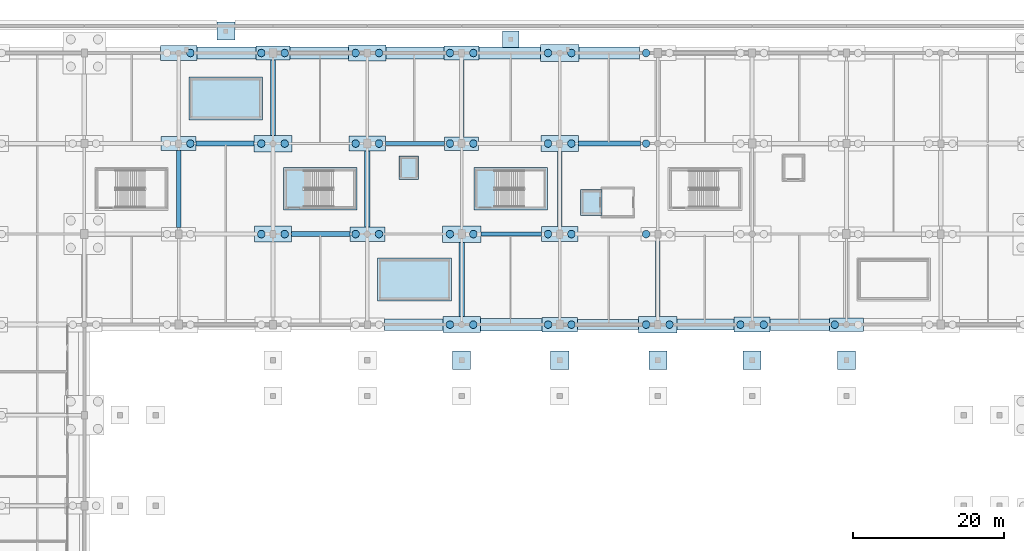
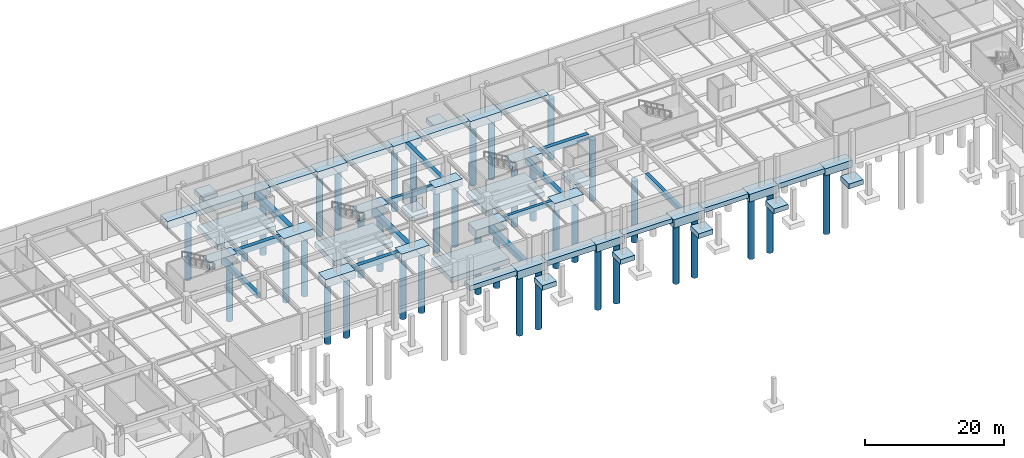
# One storey, part 9 of 56: 54 footings, 38 piles.
"""IFC4 building model written with IfcOpenShell, lengths in metres."""

import ifcopenshell
import ifcopenshell.guid

model = None  # the IFC model being written
_history = None  # IfcOwnerHistory: only IFC2X3 demands one
_inside = {}  # id of a spatial element -> (the spatial element, [elements in it])
_under = {}  # id of a project, library or spatial element -> (it, [spatial elements below it])
_declared = {}  # id of a project -> (the project, [libraries it declares])
_typed = {}  # id of a type object -> (the type object, [elements of that type])
_made_of = {}  # id of a material, layer set ... -> (it, [elements and type objects made of it])


def new_model(schema):
    """Start an empty IFC model of exactly this schema.

    Asked for "IFC4X3", IfcOpenShell would pick the latest addendum, in which some entities
    have other attributes; the version numbers below select the first issue.
    IFC2X3 requires an IfcOwnerHistory on every rooted entity: one is made here for all.
    """
    global model, _history
    if schema == "IFC4X3":
        model = ifcopenshell.file(schema_version=(4, 3, 0, 0))
    else:
        model = ifcopenshell.file(schema=schema)
    _inside.clear()
    _under.clear()
    _declared.clear()
    _typed.clear()
    _made_of.clear()
    _history = None
    if model.schema == "IFC2X3":
        org = make("IfcOrganization", Name="unknown")
        user = make(
            "IfcPersonAndOrganization",
            ThePerson=make("IfcPerson", FamilyName="unknown"),
            TheOrganization=org,
        )
        app = make(
            "IfcApplication",
            ApplicationDeveloper=org,
            Version="unknown",
            ApplicationFullName="unknown",
            ApplicationIdentifier="unknown",
        )
        _history = make(
            "IfcOwnerHistory",
            OwningUser=user,
            OwningApplication=app,
            ChangeAction="ADDED",
            CreationDate=0,
        )
    return model


def make(cls, **values):
    """One entity of the class cls with the attributes given. An attribute that is None is left unset."""
    return model.create_entity(
        cls, **{name: value for name, value in values.items() if value is not None}
    )


def rooted(cls, **values):
    """An entity with a GlobalId (a new one), such as an element, a storey or a relation."""
    return make(cls, GlobalId=ifcopenshell.guid.new(), OwnerHistory=_history, **values)


def si_unit(unit_type, name, prefix=None):
    """IfcSIUnit, for example si_unit("LENGTHUNIT", "METRE", prefix="MILLI")."""
    return make("IfcSIUnit", UnitType=unit_type, Prefix=prefix, Name=name)


def assignment(units):
    """IfcUnitAssignment: the units of a project."""
    return None if units is None else make("IfcUnitAssignment", Units=units)


def point(xyz):
    """IfcCartesianPoint."""
    return None if xyz is None else make("IfcCartesianPoint", Coordinates=xyz)


def direction(xyz):
    """IfcDirection."""
    return None if xyz is None else make("IfcDirection", DirectionRatios=xyz)


def frame(location, z_axis=None, x_axis=None):
    """IfcAxis2Placement3D, a coordinate frame: its origin and axes. An axis left out is left unset."""
    return make(
        "IfcAxis2Placement3D",
        Location=point(location),
        Axis=direction(z_axis),
        RefDirection=direction(x_axis),
    )


def frame_2d(location, x_axis=None):
    """IfcAxis2Placement2D, a coordinate frame in the plane: its origin and x axis."""
    return make(
        "IfcAxis2Placement2D", Location=point(location), RefDirection=direction(x_axis)
    )


def origin():
    """The frame at (0, 0, 0) with its axes left unset."""
    return frame((0.0, 0.0, 0.0))


def origin_2d():
    """The frame at (0, 0) in the plane with its x axis left unset."""
    return frame_2d((0.0, 0.0))


def place(relative_to, where):
    """IfcLocalPlacement: puts the frame where relative to a parent placement (None: the world)."""
    return make(
        "IfcLocalPlacement", PlacementRelTo=relative_to, RelativePlacement=where
    )


def context(
    kind, dimensions, precision=None, world=None, true_north=None, identifier=None
):
    """IfcGeometricRepresentationContext, for example the 3D "Model" context."""
    return make(
        "IfcGeometricRepresentationContext",
        ContextIdentifier=identifier,
        ContextType=kind,
        CoordinateSpaceDimension=dimensions,
        Precision=precision,
        WorldCoordinateSystem=world,
        TrueNorth=true_north,
    )


def subcontext(parent, identifier, kind, view, scale=None):
    """IfcGeometricRepresentationSubContext, for example "Body" below "Model"."""
    return make(
        "IfcGeometricRepresentationSubContext",
        ContextIdentifier=identifier,
        ContextType=kind,
        ParentContext=parent,
        TargetScale=scale,
        TargetView=view,
    )


def project(units=None, contexts=None):
    """IfcProject with its units and contexts."""
    return rooted(
        "IfcProject",
        Name="project",
        RepresentationContexts=contexts,
        UnitsInContext=assignment(units),
    )


def spatial(cls, under=None, at=None, **own):
    """A site, building, storey or space (cls), placed at a placement, below another one or the project."""
    s = rooted(cls, ObjectPlacement=at, **own)
    if under is not None:
        _under.setdefault(under.id(), (under, []))[1].append(s)
    return s


def polyline(points):
    """IfcPolyline through the points."""
    return make("IfcPolyline", Points=[point(p) for p in points])


def profile(cls, at=None, kind="AREA", **sizes):
    """A parametric profile (cls). Its sizes go by their IFC names, for example OverallWidth=200.0."""
    return make(cls, ProfileType=kind, Position=at, **sizes)


def rectangle(**sizes):
    """IfcRectangleProfileDef."""
    return profile("IfcRectangleProfileDef", **sizes)


def circle(**sizes):
    """IfcCircleProfileDef."""
    return profile("IfcCircleProfileDef", **sizes)


def outline(outer, holes=None, kind="AREA"):
    """IfcArbitraryClosedProfileDef: a profile drawn as a closed curve; with holes, ...WithVoids."""
    if holes is None:
        return make("IfcArbitraryClosedProfileDef", ProfileType=kind, OuterCurve=outer)
    return make(
        "IfcArbitraryProfileDefWithVoids",
        ProfileType=kind,
        OuterCurve=outer,
        InnerCurves=holes,
    )


def extrude(swept, where, along, depth):
    """IfcExtrudedAreaSolid: the profile swept, set in the frame where, extruded along a direction by depth."""
    return make(
        "IfcExtrudedAreaSolid",
        SweptArea=swept,
        Position=where,
        ExtrudedDirection=direction(along),
        Depth=depth,
    )


def shape(context_of_items, identifier, shape_type, items):
    """IfcShapeRepresentation: the items that make up one representation, for example the "Body"."""
    return make(
        "IfcShapeRepresentation",
        ContextOfItems=context_of_items,
        RepresentationIdentifier=identifier,
        RepresentationType=shape_type,
        Items=items,
    )


def material(Name=None, Category=None):
    """IfcMaterial."""
    return make("IfcMaterial", Name=Name, Category=Category)


def material_profile(
    of_material, cross_section, Name=None, Category=None, Priority=None
):
    """IfcMaterialProfile: a cross section and its material."""
    return make(
        "IfcMaterialProfile",
        Name=Name,
        Material=of_material,
        Profile=cross_section,
        Priority=Priority,
        Category=Category,
    )


def profile_set(profiles, Name=None, composite=None):
    """IfcMaterialProfileSet."""
    return make(
        "IfcMaterialProfileSet",
        Name=Name,
        MaterialProfiles=profiles,
        CompositeProfile=composite,
    )


def made_of(thing, what):
    """Note that an element or type object is made of a material, layer set ...; save() writes the relation."""
    if what is not None:
        _made_of.setdefault(what.id(), (what, []))[1].append(thing)
    return thing


def type_object(cls, material=None, **own):
    """A type object (cls), such as IfcWallType, which elements share."""
    return made_of(rooted(cls, **own), material)


def element(
    cls,
    number,
    at=None,
    inside=None,
    cuts=None,
    type_object=None,
    material=None,
    context=None,
    identifier="Body",
    shape_type=None,
    held_by="IfcProductDefinitionShape",
    body=None,
    shapes=None,
    **own,
):
    """One element of the class cls, such as IfcWall. Its Tag is "e" and its number.

    at: its placement. inside: the storey or other place that contains it. cuts: it is an
    opening in that element (IfcRelVoidsElement). A single representation is given by context,
    identifier, shape_type and body (its items); several are given by shapes. held_by: the class
    of the entity that holds the representations. save() writes the other relations.
    """
    e = rooted(cls, Tag="e%d" % number, ObjectPlacement=at, **own)
    if body is not None:
        shapes = [shape(context, identifier, shape_type, body)]
    if shapes is not None:
        e.Representation = make(held_by, Representations=shapes)
    if inside is not None:
        _inside.setdefault(inside.id(), (inside, []))[1].append(e)
    if cuts is not None:
        rooted(
            "IfcRelVoidsElement", RelatingBuildingElement=cuts, RelatedOpeningElement=e
        )
    if type_object is not None:
        _typed.setdefault(type_object.id(), (type_object, []))[1].append(e)
    return made_of(e, material)


def aggregate(whole, parts):
    """IfcRelAggregates: a whole, such as a stair, and the parts it consists of."""
    return rooted("IfcRelAggregates", RelatingObject=whole, RelatedObjects=parts)


def save(model, path):
    """Write the relations noted so far, then the file.

    IfcRelAggregates (storeys below a building ...), IfcRelContainedInSpatialStructure (elements
    in a storey), IfcRelDefinesByType, IfcRelAssociatesMaterial and IfcRelDeclares: one each for
    every whole, place, type object, material and project.
    """
    for whole, parts in _under.values():
        aggregate(whole, parts)
    for where, things in _inside.values():
        rooted(
            "IfcRelContainedInSpatialStructure",
            RelatedElements=things,
            RelatingStructure=where,
        )
    for kind, things in _typed.values():
        rooted("IfcRelDefinesByType", RelatedObjects=things, RelatingType=kind)
    for what, things in _made_of.values():
        rooted("IfcRelAssociatesMaterial", RelatedObjects=things, RelatingMaterial=what)
    for by, libraries in _declared.values():
        rooted("IfcRelDeclares", RelatingContext=by, RelatedDefinitions=libraries)
    model.write(path)


model = new_model("IFC4")

# Units and contexts
model_context = context("Model", 3, precision=1e-05, world=origin(), true_north=direction((0.0, 1.0)))
body_context = subcontext(model_context, "Body", "Model", "MODEL_VIEW")
ifc_project = project(units=[si_unit("LENGTHUNIT", "METRE"), si_unit("AREAUNIT", "SQUARE_METRE"), si_unit("VOLUMEUNIT", "CUBIC_METRE"), si_unit("PLANEANGLEUNIT", "RADIAN"), si_unit("MASSUNIT", "GRAM", prefix="KILO")], contexts=[model_context])

# Site, building, storey
site_placement = place(None, origin())
site = spatial("IfcSite", under=ifc_project, at=site_placement, CompositionType="ELEMENT")
building_placement = place(site_placement, origin())
building = spatial("IfcBuilding", under=site, at=building_placement, Name="Kazenohara Klinker Stadium", CompositionType="ELEMENT")
storey_placement = place(building_placement, frame((0.0, 0.0, -4.800048828125)))
storey = spatial("IfcBuildingStorey", under=building, at=storey_placement, Name="B01", CompositionType="ELEMENT", Elevation=-4.800048828125)

# Footings
ifc_material = material(Name="Concrete C35/45", Category="concrete")
footing_type_1 = type_object("IfcFootingType", Name="CAP-PC01", PredefinedType="PILE_CAP", material=ifc_material)
for number, where, z_axis, x_axis, name in (
    (1, (74.0, 168.0, -1.25), (0.0, 0.0, 1.0), (1.0, 0.0, 0.0), "Pile cap PC01 at 7/Q"),
    (2, (99.0, 156.0, -1.25), (0.0, 0.0, 1.0), (1.0, 0.0, 0.0), "Pile cap PC01 at 9/P"),
    (3, (150.0, 132.0, -1.25), (0.0, 0.0, 1.0), (1.0, 0.0, 0.0), "Pile cap PC01 at 13/M"),
):
    element("IfcFooting", number, at=place(storey_placement, frame(where, z_axis=z_axis, x_axis=x_axis)), inside=storey, type_object=footing_type_1, Name=name, PredefinedType="PILE_CAP", context=body_context, shape_type="SweptSolid", body=[
        extrude(rectangle(XDim=4.5, YDim=1.800048828125, at=origin_2d()), origin(), (0.0, 0.0, 1.0), 1.25),
    ])
footing_type_2 = type_object("IfcFootingType", Name="CAP-PC02", PredefinedType="PILE_CAP", material=ifc_material)
for number, where, z_axis, x_axis, name in (
    (4, (61.5, 156.0, -1.2998046875), (0.0, 0.0, 1.0), (1.0, 0.0, 0.0), "Pile cap PC02 at 6/P"),
    (5, (86.5, 144.0, -1.2998046875), (0.0, 0.0, 1.0), (1.0, 0.0, 0.0), "Pile cap PC02 at 8/N"),
    (6, (99.0, 168.0, -1.2998046875), (0.0, 0.0, 1.0), (1.0, 0.0, 0.0), "Pile cap PC02 at 9/Q"),
    (7, (112.0, 132.0, -1.2998046875), (0.0, 0.0, 1.0), (1.0, 0.0, 0.0), "Pile cap PC02 at 10/M"),
):
    element("IfcFooting", number, at=place(storey_placement, frame(where, z_axis=z_axis, x_axis=x_axis)), inside=storey, type_object=footing_type_2, Name=name, PredefinedType="PILE_CAP", context=body_context, shape_type="SweptSolid", body=[
        extrude(rectangle(XDim=4.64990234375, YDim=1.89990234375, at=origin_2d()), origin(), (0.0, 0.0, 1.0), 1.300048828125),
    ])
footing_type_3 = type_object("IfcFootingType", Name="CAP-PC03", PredefinedType="PILE_CAP", material=ifc_material)
for number, where, z_axis, x_axis, name in (
    (8, (61.5, 168.0, -1.35009765625), (0.0, 0.0, 1.0), (1.0, 0.0, 0.0), "Pile cap PC03 at 6/Q"),
    (9, (86.5, 156.0, -1.35009765625), (0.0, 0.0, 1.0), (1.0, 0.0, 0.0), "Pile cap PC03 at 8/P"),
    (10, (112.0, 144.0, -1.35009765625), (0.0, 0.0, 1.0), (1.0, 0.0, 0.0), "Pile cap PC03 at 10/N"),
    (11, (137.5, 132.0, -1.35009765625), (0.0, 0.0, 1.0), (1.0, 0.0, 0.0), "Pile cap PC03 at 12/M"),
):
    element("IfcFooting", number, at=place(storey_placement, frame(where, z_axis=z_axis, x_axis=x_axis)), inside=storey, type_object=footing_type_3, Name=name, PredefinedType="PILE_CAP", context=body_context, shape_type="SweptSolid", body=[
        extrude(rectangle(XDim=4.800048828125, YDim=2.0, at=origin_2d()), origin(), (0.0, 0.0, 1.0), 1.35009765625),
    ])
footing_type_4 = type_object("IfcFootingType", Name="CAP-PC04", PredefinedType="PILE_CAP", material=ifc_material)
for number, where, z_axis, x_axis, name in (
    (12, (74.0, 144.0, -1.39990234375), (0.0, 0.0, 1.0), (1.0, 0.0, 0.0), "Pile cap PC04 at 7/N"),
    (13, (86.5, 168.0, -1.39990234375), (0.0, 0.0, 1.0), (1.0, 0.0, 0.0), "Pile cap PC04 at 8/Q"),
    (14, (99.0, 132.0, -1.39990234375), (0.0, 0.0, 1.0), (1.0, 0.0, 0.0), "Pile cap PC04 at 9/M"),
    (15, (112.0, 156.0, -1.39990234375), (0.0, 0.0, 1.0), (1.0, 0.0, 0.0), "Pile cap PC04 at 10/P"),
):
    element("IfcFooting", number, at=place(storey_placement, frame(where, z_axis=z_axis, x_axis=x_axis)), inside=storey, type_object=footing_type_4, Name=name, PredefinedType="PILE_CAP", context=body_context, shape_type="SweptSolid", body=[
        extrude(rectangle(XDim=4.949951171875, YDim=2.10009765625, at=origin_2d()), origin(), (0.0, 0.0, 1.0), 1.39990234375),
    ])
footing_type_5 = type_object("IfcFootingType", Name="CAP-PC05", PredefinedType="PILE_CAP", material=ifc_material)
for number, where, z_axis, x_axis, name in (
    (16, (74.0, 156.0, -1.44970703125), (0.0, 0.0, 1.0), (1.0, 0.0, 0.0), "Pile cap PC05 at 7/P"),
    (17, (99.0, 144.0, -1.44970703125), (0.0, 0.0, 1.0), (1.0, 0.0, 0.0), "Pile cap PC05 at 9/N"),
    (18, (112.0, 168.0, -1.44970703125), (0.0, 0.0, 1.0), (1.0, 0.0, 0.0), "Pile cap PC05 at 10/Q"),
    (19, (125.0, 132.0, -1.44970703125), (0.0, 0.0, 1.0), (1.0, 0.0, 0.0), "Pile cap PC05 at 11/M"),
):
    element("IfcFooting", number, at=place(storey_placement, frame(where, z_axis=z_axis, x_axis=x_axis)), inside=storey, type_object=footing_type_5, Name=name, PredefinedType="PILE_CAP", context=body_context, shape_type="SweptSolid", body=[
        extrude(rectangle(XDim=5.10009765625, YDim=2.199951171875, at=origin_2d()), origin(), (0.0, 0.0, 1.0), 1.449951171875),
    ])
footing_type_6 = type_object("IfcFootingType", Name="GBEAM-GB01", PredefinedType="FOOTING_BEAM", material=ifc_material)
footing_1_placement = place(storey_placement, frame((0.0, 0.0, -0.800048828125)))
element("IfcFooting", 20, at=footing_1_placement, inside=storey, type_object=footing_type_6, Name="Foundation tie beam GB01 8-9/P", PredefinedType="FOOTING_BEAM", context=body_context, shape_type="SweptSolid", body=[
    extrude(outline(polyline([(88.89990234375, 155.75), (96.75, 155.75), (96.75, 156.25), (88.89990234375, 156.25), (88.89990234375, 155.75)])), origin(), (0.0, 0.0, 1.0), 0.800048828125),
])
footing_2_placement = place(storey_placement, frame((0.0, 0.0, -0.800048828125)))
element("IfcFooting", 21, at=footing_2_placement, inside=storey, type_object=footing_type_6, Name="Foundation tie beam GB01 9-10/N", PredefinedType="FOOTING_BEAM", context=body_context, shape_type="SweptSolid", body=[
    extrude(outline(polyline([(101.550048828125, 143.75), (109.60009765625, 143.75), (109.60009765625, 144.25), (101.550048828125, 144.25), (101.550048828125, 143.75)])), origin(), (0.0, 0.0, 1.0), 0.800048828125),
])
footing_type_7 = type_object("IfcFootingType", Name="GBEAM-GB02", PredefinedType="FOOTING_BEAM", material=ifc_material)
footing_3_placement = place(storey_placement, frame((0.0, 0.0, -0.8798828125)))
element("IfcFooting", 22, at=footing_3_placement, inside=storey, type_object=footing_type_7, Name="Foundation tie beam GB02 6/N-P", PredefinedType="FOOTING_BEAM", context=body_context, shape_type="SweptSolid", body=[
    extrude(outline(polyline([(61.2099609375, 144.89990234375), (61.7900390625, 144.89990234375), (61.7900390625, 155.050048828125), (61.2099609375, 155.050048828125), (61.2099609375, 144.89990234375)])), origin(), (0.0, 0.0, 1.0), 0.8798828125),
])
footing_4_placement = place(storey_placement, frame((0.0, 0.0, -0.8798828125)))
element("IfcFooting", 23, at=footing_4_placement, inside=storey, type_object=footing_type_7, Name="Foundation tie beam GB02 9/P-Q", PredefinedType="FOOTING_BEAM", context=body_context, shape_type="SweptSolid", body=[
    extrude(outline(polyline([(98.7099609375, 156.89990234375), (99.2900390625, 156.89990234375), (99.2900390625, 167.050048828125), (98.7099609375, 167.050048828125), (98.7099609375, 156.89990234375)])), origin(), (0.0, 0.0, 1.0), 0.8798828125),
])
footing_5_placement = place(storey_placement, frame((0.0, 0.0, -0.8798828125)))
element("IfcFooting", 24, at=footing_5_placement, inside=storey, type_object=footing_type_7, Name="Foundation tie beam GB02 10/N-P", PredefinedType="FOOTING_BEAM", context=body_context, shape_type="SweptSolid", body=[
    extrude(outline(polyline([(111.7099609375, 145.0), (112.2900390625, 145.0), (112.2900390625, 154.949951171875), (111.7099609375, 154.949951171875), (111.7099609375, 145.0)])), origin(), (0.0, 0.0, 1.0), 0.8798828125),
])
footing_6_placement = place(storey_placement, frame((0.0, 0.0, -0.8798828125)))
element("IfcFooting", 25, at=footing_6_placement, inside=storey, type_object=footing_type_7, Name="Foundation tie beam GB02 11/M-N", PredefinedType="FOOTING_BEAM", context=body_context, shape_type="SweptSolid", body=[
    extrude(outline(polyline([(124.7099609375, 133.10009765625), (125.2900390625, 133.10009765625), (125.2900390625, 143.10009765625), (124.7099609375, 143.10009765625), (124.7099609375, 133.10009765625)])), origin(), (0.0, 0.0, 1.0), 0.8798828125),
])
footing_type_8 = type_object("IfcFootingType", Name="GBEAM-GB03", PredefinedType="FOOTING_BEAM", material=ifc_material)
footing_7_placement = place(storey_placement, frame((0.0, 0.0, -0.9599609375)))
element("IfcFooting", 26, at=footing_7_placement, inside=storey, type_object=footing_type_8, Name="Foundation tie beam GB03 6-7/P", PredefinedType="FOOTING_BEAM", context=body_context, shape_type="SweptSolid", body=[
    extrude(outline(polyline([(63.824951171875, 155.675048828125), (71.449951171875, 155.675048828125), (71.449951171875, 156.324951171875), (63.824951171875, 156.324951171875), (63.824951171875, 155.675048828125)])), origin(), (0.0, 0.0, 1.0), 0.9599609375),
])
footing_8_placement = place(storey_placement, frame((0.0, 0.0, -0.9599609375)))
element("IfcFooting", 27, at=footing_8_placement, inside=storey, type_object=footing_type_8, Name="Foundation tie beam GB03 7-8/N", PredefinedType="FOOTING_BEAM", context=body_context, shape_type="SweptSolid", body=[
    extrude(outline(polyline([(76.47509765625, 143.675048828125), (84.175048828125, 143.675048828125), (84.175048828125, 144.324951171875), (76.47509765625, 144.324951171875), (76.47509765625, 143.675048828125)])), origin(), (0.0, 0.0, 1.0), 0.9599609375),
])
footing_9_placement = place(storey_placement, frame((0.0, 0.0, -0.9599609375)))
element("IfcFooting", 28, at=footing_9_placement, inside=storey, type_object=footing_type_8, Name="Foundation tie beam GB03 10-11/P", PredefinedType="FOOTING_BEAM", context=body_context, shape_type="SweptSolid", body=[
    extrude(outline(polyline([(114.47509765625, 155.675048828125), (122.675048828125, 155.675048828125), (122.675048828125, 156.324951171875), (114.47509765625, 156.324951171875), (114.47509765625, 155.675048828125)])), origin(), (0.0, 0.0, 1.0), 0.9599609375),
])
footing_type_9 = type_object("IfcFootingType", Name="GBEAM-GB04", PredefinedType="FOOTING_BEAM", material=ifc_material)
footing_10_placement = place(storey_placement, frame((0.0, 0.0, -1.050048828125)))
element("IfcFooting", 29, at=footing_10_placement, inside=storey, type_object=footing_type_9, Name="Foundation tie beam GB04 7/P-Q", PredefinedType="FOOTING_BEAM", context=body_context, shape_type="SweptSolid", body=[
    extrude(outline(polyline([(73.639892578125, 157.10009765625), (74.360107421875, 157.10009765625), (74.360107421875, 167.10009765625), (73.639892578125, 167.10009765625), (73.639892578125, 157.10009765625)])), origin(), (0.0, 0.0, 1.0), 1.050048828125),
])
footing_11_placement = place(storey_placement, frame((0.0, 0.0, -1.050048828125)))
element("IfcFooting", 30, at=footing_11_placement, inside=storey, type_object=footing_type_9, Name="Foundation tie beam GB04 8/N-P", PredefinedType="FOOTING_BEAM", context=body_context, shape_type="SweptSolid", body=[
    extrude(outline(polyline([(86.139892578125, 144.949951171875), (86.860107421875, 144.949951171875), (86.860107421875, 155.0), (86.139892578125, 155.0), (86.139892578125, 144.949951171875)])), origin(), (0.0, 0.0, 1.0), 1.050048828125),
])
footing_12_placement = place(storey_placement, frame((0.0, 0.0, -1.050048828125)))
element("IfcFooting", 31, at=footing_12_placement, inside=storey, type_object=footing_type_9, Name="Foundation tie beam GB04 9/M-N", PredefinedType="FOOTING_BEAM", context=body_context, shape_type="SweptSolid", body=[
    extrude(outline(polyline([(98.639892578125, 133.050048828125), (99.360107421875, 133.050048828125), (99.360107421875, 142.89990234375), (98.639892578125, 142.89990234375), (98.639892578125, 133.050048828125)])), origin(), (0.0, 0.0, 1.0), 1.050048828125),
])
footing_type_10 = type_object("IfcFootingType", Name="PAD-PF01", PredefinedType="PAD_FOOTING", material=ifc_material)
footing_13_placement = place(storey_placement, frame((105.5, 169.85009765625, -0.7998046875), z_axis=(0.0, 0.0, 1.0), x_axis=(1.0, 0.0, 0.0)))
element("IfcFooting", 32, at=footing_13_placement, inside=storey, type_object=footing_type_10, Name="Exterior plinth support pad PF01 PLAZA-NORTH-2", PredefinedType="PAD_FOOTING", context=body_context, shape_type="SweptSolid", body=[
    extrude(rectangle(XDim=2.199951171875, YDim=2.199951171875, at=origin_2d()), origin(), (0.0, 0.0, 1.0), 0.800048828125),
])
footing_type_11 = type_object("IfcFootingType", Name="PAD-PF02", PredefinedType="PAD_FOOTING", material=ifc_material)
for number, where, z_axis, x_axis, name in (
    (33, (99.0, 127.27490234375, -0.85009765625), (0.0, 0.0, 1.0), (1.0, 0.0, 0.0), "Bowl mid-raker pad PF02 N-9"),
    (34, (112.0, 127.27490234375, -0.85009765625), (0.0, 0.0, 1.0), (1.0, 0.0, 0.0), "Bowl mid-raker pad PF02 N-10"),
    (35, (125.0, 127.27490234375, -0.85009765625), (0.0, 0.0, 1.0), (1.0, 0.0, 0.0), "Bowl mid-raker pad PF02 N-11"),
    (36, (137.5, 127.27490234375, -0.85009765625), (0.0, 0.0, 1.0), (1.0, 0.0, 0.0), "Bowl mid-raker pad PF02 N-12"),
    (37, (150.0, 127.27490234375, -0.85009765625), (0.0, 0.0, 1.0), (1.0, 0.0, 0.0), "Bowl mid-raker pad PF02 N-13"),
    (38, (67.75, 170.89990234375, -0.85009765625), (0.0, 0.0, 1.0), (1.0, 0.0, 0.0), "Barrier-free ramp foundation pad N1"),
):
    element("IfcFooting", number, at=place(storey_placement, frame(where, z_axis=z_axis, x_axis=x_axis)), inside=storey, type_object=footing_type_11, Name=name, PredefinedType="PAD_FOOTING", context=body_context, shape_type="SweptSolid", body=[
        extrude(rectangle(XDim=2.39990234375, YDim=2.39990234375, at=origin_2d()), origin(), (0.0, 0.0, 1.0), 0.85009765625),
    ])
footing_type_12 = type_object("IfcFootingType", Name="PAD-PF03", PredefinedType="PAD_FOOTING", material=ifc_material)
footing_14_placement = place(storey_placement, frame((0.0, 0.0, -1.5)))
element("IfcFooting", 39, at=footing_14_placement, inside=storey, type_object=footing_type_12, Name="Elevator pit foundation pad LF04", PredefinedType="PAD_FOOTING", context=body_context, shape_type="SweptSolid", body=[
    extrude(outline(polyline([(114.784912109375, 146.485107421875), (117.614990234375, 146.485107421875), (117.614990234375, 149.9150390625), (114.784912109375, 149.9150390625), (114.784912109375, 146.485107421875)])), origin(), (0.0, 0.0, 1.0), 0.85009765625),
])
footing_15_placement = place(storey_placement, frame((0.0, 0.0, -1.5)))
element("IfcFooting", 40, at=footing_15_placement, inside=storey, type_object=footing_type_12, Name="Elevator pit foundation pad LP04", PredefinedType="PAD_FOOTING", context=body_context, shape_type="SweptSolid", body=[
    extrude(outline(polyline([(90.68505859375, 151.235107421875), (93.31494140625, 151.235107421875), (93.31494140625, 154.364990234375), (90.68505859375, 154.364990234375), (90.68505859375, 151.235107421875)])), origin(), (0.0, 0.0, 1.0), 0.85009765625),
])
footing_type_13 = type_object("IfcFootingType", Name="PAD-PF04", PredefinedType="PAD_FOOTING", material=ifc_material)
footing_16_placement = place(storey_placement, frame((0.0, 0.0, -1.550048828125)))
element("IfcFooting", 41, at=footing_16_placement, inside=storey, type_object=footing_type_13, Name="Stairwell core foundation raft ST09", PredefinedType="PAD_FOOTING", context=body_context, shape_type="SweptSolid", body=[
    extrude(outline(polyline([(75.375, 147.18505859375), (85.125, 147.18505859375), (85.125, 152.81494140625), (75.375, 152.81494140625), (75.375, 147.18505859375)])), origin(), (0.0, 0.0, 1.0), 0.900146484375),
])
footing_17_placement = place(storey_placement, frame((0.0, 0.0, -1.550048828125)))
element("IfcFooting", 42, at=footing_17_placement, inside=storey, type_object=footing_type_13, Name="Stairwell core foundation raft ST10", PredefinedType="PAD_FOOTING", context=body_context, shape_type="SweptSolid", body=[
    extrude(outline(polyline([(100.635009765625, 147.18505859375), (110.364990234375, 147.18505859375), (110.364990234375, 152.81494140625), (100.635009765625, 152.81494140625), (100.635009765625, 147.18505859375)])), origin(), (0.0, 0.0, 1.0), 0.900146484375),
])
footing_18_placement = place(storey_placement, frame((0.0, 0.0, -1.550048828125)))
element("IfcFooting", 43, at=footing_18_placement, inside=storey, type_object=footing_type_13, Name="Stairwell core foundation raft ST15", PredefinedType="PAD_FOOTING", context=body_context, shape_type="SweptSolid", body=[
    extrude(outline(polyline([(62.875, 159.155029296875), (72.625, 159.155029296875), (72.625, 164.844970703125), (62.875, 164.844970703125), (62.875, 159.155029296875)])), origin(), (0.0, 0.0, 1.0), 0.900146484375),
])
footing_19_placement = place(storey_placement, frame((0.0, 0.0, -1.550048828125)))
element("IfcFooting", 44, at=footing_19_placement, inside=storey, type_object=footing_type_13, Name="Stairwell core foundation raft ST19", PredefinedType="PAD_FOOTING", context=body_context, shape_type="SweptSolid", body=[
    extrude(outline(polyline([(87.875, 135.155029296875), (97.625, 135.155029296875), (97.625, 140.844970703125), (87.875, 140.844970703125), (87.875, 135.155029296875)])), origin(), (0.0, 0.0, 1.0), 0.900146484375),
])

# Piles
ifc_material_profile = material_profile(ifc_material, circle(Radius=0.5, at=origin_2d()), Name="BORED-PILE-1000")
ifc_profile_set = profile_set([ifc_material_profile], Name="Concrete C35/45")
pile_type = type_object("IfcPileType", Name="PILE-P01-1000", PredefinedType="BORED", material=ifc_profile_set)
pile_1_placement = place(storey_placement, frame((63.050048828125, 156.0, -1.199951171875), z_axis=(0.0, 0.0, -1.0), x_axis=(1.0, 0.0, 0.0)))
element("IfcPile", 45, at=pile_1_placement, inside=storey, type_object=pile_type, Name="Bored pile P01-0513-2", PredefinedType="BORED", context=body_context, shape_type="SweptSolid", body=[
    extrude(circle(Radius=0.5, at=origin_2d()), origin(), (0.0, 0.0, 1.0), 10.800048828125),
])
pile_2_placement = place(storey_placement, frame((63.050048828125, 168.0, -1.25), z_axis=(0.0, 0.0, -1.0), x_axis=(1.0, 0.0, 0.0)))
element("IfcPile", 46, at=pile_2_placement, inside=storey, type_object=pile_type, Name="Bored pile P01-0514-2", PredefinedType="BORED", context=body_context, shape_type="SweptSolid", body=[
    extrude(circle(Radius=0.5, at=origin_2d()), origin(), (0.0, 0.0, 1.0), 10.75),
])
for number, where, z_axis, x_axis, name in (
    (47, (72.449951171875, 144.0, -1.300048828125), (0.0, 0.0, -1.0), (1.0, 0.0, 0.0), "Bored pile P01-0612-1"),
    (48, (75.550048828125, 144.0, -1.300048828125), (0.0, 0.0, -1.0), (1.0, 0.0, 0.0), "Bored pile P01-0612-2"),
):
    element("IfcPile", number, at=place(storey_placement, frame(where, z_axis=z_axis, x_axis=x_axis)), inside=storey, type_object=pile_type, Name=name, PredefinedType="BORED", context=body_context, shape_type="SweptSolid", body=[
        extrude(circle(Radius=0.5, at=origin_2d()), origin(), (0.0, 0.0, 1.0), 10.699951171875),
    ])
for number, where, z_axis, x_axis, name in (
    (49, (72.449951171875, 156.0, -1.349853515625), (0.0, 0.0, -1.0), (1.0, 0.0, 0.0), "Bored pile P01-0613-1"),
    (50, (75.550048828125, 156.0, -1.349853515625), (0.0, 0.0, -1.0), (1.0, 0.0, 0.0), "Bored pile P01-0613-2"),
):
    element("IfcPile", number, at=place(storey_placement, frame(where, z_axis=z_axis, x_axis=x_axis)), inside=storey, type_object=pile_type, Name=name, PredefinedType="BORED", context=body_context, shape_type="SweptSolid", body=[
        extrude(circle(Radius=0.5, at=origin_2d()), origin(), (0.0, 0.0, 1.0), 10.64990234375),
    ])
for number, where, z_axis, x_axis, name in (
    (51, (72.449951171875, 168.0, -1.14990234375), (0.0, 0.0, -1.0), (1.0, 0.0, 0.0), "Bored pile P01-0614-1"),
    (52, (75.550048828125, 168.0, -1.14990234375), (0.0, 0.0, -1.0), (1.0, 0.0, 0.0), "Bored pile P01-0614-2"),
):
    element("IfcPile", number, at=place(storey_placement, frame(where, z_axis=z_axis, x_axis=x_axis)), inside=storey, type_object=pile_type, Name=name, PredefinedType="BORED", context=body_context, shape_type="SweptSolid", body=[
        extrude(circle(Radius=0.5, at=origin_2d()), origin(), (0.0, 0.0, 1.0), 10.85009765625),
    ])
for number, where, z_axis, x_axis, name in (
    (53, (84.949951171875, 144.0, -1.199951171875), (0.0, 0.0, -1.0), (1.0, 0.0, 0.0), "Bored pile P01-0712-1"),
    (54, (88.050048828125, 144.0, -1.199951171875), (0.0, 0.0, -1.0), (1.0, 0.0, 0.0), "Bored pile P01-0712-2"),
):
    element("IfcPile", number, at=place(storey_placement, frame(where, z_axis=z_axis, x_axis=x_axis)), inside=storey, type_object=pile_type, Name=name, PredefinedType="BORED", context=body_context, shape_type="SweptSolid", body=[
        extrude(circle(Radius=0.5, at=origin_2d()), origin(), (0.0, 0.0, 1.0), 10.800048828125),
    ])
for number, where, z_axis, x_axis, name in (
    (55, (84.949951171875, 156.0, -1.25), (0.0, 0.0, -1.0), (1.0, 0.0, 0.0), "Bored pile P01-0713-1"),
    (56, (88.050048828125, 156.0, -1.25), (0.0, 0.0, -1.0), (1.0, 0.0, 0.0), "Bored pile P01-0713-2"),
):
    element("IfcPile", number, at=place(storey_placement, frame(where, z_axis=z_axis, x_axis=x_axis)), inside=storey, type_object=pile_type, Name=name, PredefinedType="BORED", context=body_context, shape_type="SweptSolid", body=[
        extrude(circle(Radius=0.5, at=origin_2d()), origin(), (0.0, 0.0, 1.0), 10.75),
    ])
for number, where, z_axis, x_axis, name in (
    (57, (84.949951171875, 168.0, -1.300048828125), (0.0, 0.0, -1.0), (1.0, 0.0, 0.0), "Bored pile P01-0714-1"),
    (58, (88.050048828125, 168.0, -1.300048828125), (0.0, 0.0, -1.0), (1.0, 0.0, 0.0), "Bored pile P01-0714-2"),
    (59, (97.449951171875, 132.0, -1.300048828125), (0.0, 0.0, -1.0), (1.0, 0.0, 0.0), "Bored pile P01-0811-1"),
    (60, (100.550048828125, 132.0, -1.300048828125), (0.0, 0.0, -1.0), (1.0, 0.0, 0.0), "Bored pile P01-0811-2"),
):
    element("IfcPile", number, at=place(storey_placement, frame(where, z_axis=z_axis, x_axis=x_axis)), inside=storey, type_object=pile_type, Name=name, PredefinedType="BORED", context=body_context, shape_type="SweptSolid", body=[
        extrude(circle(Radius=0.5, at=origin_2d()), origin(), (0.0, 0.0, 1.0), 10.699951171875),
    ])
for number, where, z_axis, x_axis, name in (
    (61, (97.449951171875, 144.0, -1.349853515625), (0.0, 0.0, -1.0), (1.0, 0.0, 0.0), "Bored pile P01-0812-1"),
    (62, (100.550048828125, 144.0, -1.349853515625), (0.0, 0.0, -1.0), (1.0, 0.0, 0.0), "Bored pile P01-0812-2"),
):
    element("IfcPile", number, at=place(storey_placement, frame(where, z_axis=z_axis, x_axis=x_axis)), inside=storey, type_object=pile_type, Name=name, PredefinedType="BORED", context=body_context, shape_type="SweptSolid", body=[
        extrude(circle(Radius=0.5, at=origin_2d()), origin(), (0.0, 0.0, 1.0), 10.64990234375),
    ])
for number, where, z_axis, x_axis, name in (
    (63, (97.449951171875, 156.0, -1.14990234375), (0.0, 0.0, -1.0), (1.0, 0.0, 0.0), "Bored pile P01-0813-1"),
    (64, (100.550048828125, 156.0, -1.14990234375), (0.0, 0.0, -1.0), (1.0, 0.0, 0.0), "Bored pile P01-0813-2"),
):
    element("IfcPile", number, at=place(storey_placement, frame(where, z_axis=z_axis, x_axis=x_axis)), inside=storey, type_object=pile_type, Name=name, PredefinedType="BORED", context=body_context, shape_type="SweptSolid", body=[
        extrude(circle(Radius=0.5, at=origin_2d()), origin(), (0.0, 0.0, 1.0), 10.85009765625),
    ])
for number, where, z_axis, x_axis, name in (
    (65, (97.449951171875, 168.0, -1.199951171875), (0.0, 0.0, -1.0), (1.0, 0.0, 0.0), "Bored pile P01-0814-1"),
    (66, (100.550048828125, 168.0, -1.199951171875), (0.0, 0.0, -1.0), (1.0, 0.0, 0.0), "Bored pile P01-0814-2"),
    (67, (110.449951171875, 132.0, -1.199951171875), (0.0, 0.0, -1.0), (1.0, 0.0, 0.0), "Bored pile P01-0911-1"),
    (68, (113.550048828125, 132.0, -1.199951171875), (0.0, 0.0, -1.0), (1.0, 0.0, 0.0), "Bored pile P01-0911-2"),
):
    element("IfcPile", number, at=place(storey_placement, frame(where, z_axis=z_axis, x_axis=x_axis)), inside=storey, type_object=pile_type, Name=name, PredefinedType="BORED", context=body_context, shape_type="SweptSolid", body=[
        extrude(circle(Radius=0.5, at=origin_2d()), origin(), (0.0, 0.0, 1.0), 10.800048828125),
    ])
for number, where, z_axis, x_axis, name in (
    (69, (110.449951171875, 144.0, -1.25), (0.0, 0.0, -1.0), (1.0, 0.0, 0.0), "Bored pile P01-0912-1"),
    (70, (113.550048828125, 144.0, -1.25), (0.0, 0.0, -1.0), (1.0, 0.0, 0.0), "Bored pile P01-0912-2"),
):
    element("IfcPile", number, at=place(storey_placement, frame(where, z_axis=z_axis, x_axis=x_axis)), inside=storey, type_object=pile_type, Name=name, PredefinedType="BORED", context=body_context, shape_type="SweptSolid", body=[
        extrude(circle(Radius=0.5, at=origin_2d()), origin(), (0.0, 0.0, 1.0), 10.75),
    ])
for number, where, z_axis, x_axis, name in (
    (71, (110.449951171875, 156.0, -1.300048828125), (0.0, 0.0, -1.0), (1.0, 0.0, 0.0), "Bored pile P01-0913-1"),
    (72, (113.550048828125, 156.0, -1.300048828125), (0.0, 0.0, -1.0), (1.0, 0.0, 0.0), "Bored pile P01-0913-2"),
):
    element("IfcPile", number, at=place(storey_placement, frame(where, z_axis=z_axis, x_axis=x_axis)), inside=storey, type_object=pile_type, Name=name, PredefinedType="BORED", context=body_context, shape_type="SweptSolid", body=[
        extrude(circle(Radius=0.5, at=origin_2d()), origin(), (0.0, 0.0, 1.0), 10.699951171875),
    ])
for number, where, z_axis, x_axis, name in (
    (73, (110.449951171875, 168.0, -1.349853515625), (0.0, 0.0, -1.0), (1.0, 0.0, 0.0), "Bored pile P01-0914-1"),
    (74, (113.550048828125, 168.0, -1.349853515625), (0.0, 0.0, -1.0), (1.0, 0.0, 0.0), "Bored pile P01-0914-2"),
    (75, (123.449951171875, 132.0, -1.349853515625), (0.0, 0.0, -1.0), (1.0, 0.0, 0.0), "Bored pile P01-1011-1"),
    (76, (126.550048828125, 132.0, -1.349853515625), (0.0, 0.0, -1.0), (1.0, 0.0, 0.0), "Bored pile P01-1011-2"),
):
    element("IfcPile", number, at=place(storey_placement, frame(where, z_axis=z_axis, x_axis=x_axis)), inside=storey, type_object=pile_type, Name=name, PredefinedType="BORED", context=body_context, shape_type="SweptSolid", body=[
        extrude(circle(Radius=0.5, at=origin_2d()), origin(), (0.0, 0.0, 1.0), 10.64990234375),
    ])
pile_3_placement = place(storey_placement, frame((123.449951171875, 144.0, -1.14990234375), z_axis=(0.0, 0.0, -1.0), x_axis=(1.0, 0.0, 0.0)))
element("IfcPile", 77, at=pile_3_placement, inside=storey, type_object=pile_type, Name="Bored pile P01-1012-1", PredefinedType="BORED", context=body_context, shape_type="SweptSolid", body=[
    extrude(circle(Radius=0.5, at=origin_2d()), origin(), (0.0, 0.0, 1.0), 10.85009765625),
])
pile_4_placement = place(storey_placement, frame((123.449951171875, 156.0, -1.199951171875), z_axis=(0.0, 0.0, -1.0), x_axis=(1.0, 0.0, 0.0)))
element("IfcPile", 78, at=pile_4_placement, inside=storey, type_object=pile_type, Name="Bored pile P01-1013-1", PredefinedType="BORED", context=body_context, shape_type="SweptSolid", body=[
    extrude(circle(Radius=0.5, at=origin_2d()), origin(), (0.0, 0.0, 1.0), 10.800048828125),
])
for number, where, z_axis, x_axis, name in (
    (79, (123.449951171875, 168.0, -1.25), (0.0, 0.0, -1.0), (1.0, 0.0, 0.0), "Bored pile P01-1014-1"),
    (80, (135.949951171875, 132.0, -1.25), (0.0, 0.0, -1.0), (1.0, 0.0, 0.0), "Bored pile P01-1111-1"),
    (81, (139.050048828125, 132.0, -1.25), (0.0, 0.0, -1.0), (1.0, 0.0, 0.0), "Bored pile P01-1111-2"),
):
    element("IfcPile", number, at=place(storey_placement, frame(where, z_axis=z_axis, x_axis=x_axis)), inside=storey, type_object=pile_type, Name=name, PredefinedType="BORED", context=body_context, shape_type="SweptSolid", body=[
        extrude(circle(Radius=0.5, at=origin_2d()), origin(), (0.0, 0.0, 1.0), 10.75),
    ])
pile_5_placement = place(storey_placement, frame((148.449951171875, 132.0, -1.14990234375), z_axis=(0.0, 0.0, -1.0), x_axis=(1.0, 0.0, 0.0)))
element("IfcPile", 82, at=pile_5_placement, inside=storey, type_object=pile_type, Name="Bored pile P01-1211-1", PredefinedType="BORED", context=body_context, shape_type="SweptSolid", body=[
    extrude(circle(Radius=0.5, at=origin_2d()), origin(), (0.0, 0.0, 1.0), 10.85009765625),
])

# Footings
footing_type_14 = type_object("IfcFootingType", Name="STRIP-SF01", PredefinedType="STRIP_FOOTING", material=ifc_material)
footing_20_placement = place(storey_placement, frame((0.0, 0.0, -0.75)))
element("IfcFooting", 83, at=footing_20_placement, inside=storey, type_object=footing_type_14, Name="Perimeter strip footing SF01 10-11/M", PredefinedType="STRIP_FOOTING", context=body_context, shape_type="SweptSolid", body=[
    extrude(outline(polyline([(114.324951171875, 131.324951171875), (122.449951171875, 131.324951171875), (122.449951171875, 132.675048828125), (114.324951171875, 132.675048828125), (114.324951171875, 131.324951171875)])), origin(), (0.0, 0.0, 1.0), 0.75),
])
footing_type_15 = type_object("IfcFootingType", Name="STRIP-SF02", PredefinedType="STRIP_FOOTING", material=ifc_material)
footing_21_placement = place(storey_placement, frame((0.0, 0.0, -0.800048828125)))
element("IfcFooting", 84, at=footing_21_placement, inside=storey, type_object=footing_type_15, Name="Perimeter strip footing SF02 11-12/M", PredefinedType="STRIP_FOOTING", context=body_context, shape_type="SweptSolid", body=[
    extrude(outline(polyline([(127.550048828125, 131.27490234375), (135.10009765625, 131.27490234375), (135.10009765625, 132.72509765625), (127.550048828125, 132.72509765625), (127.550048828125, 131.27490234375)])), origin(), (0.0, 0.0, 1.0), 0.800048828125),
])
footing_type_16 = type_object("IfcFootingType", Name="STRIP-SF03", PredefinedType="STRIP_FOOTING", material=ifc_material)
footing_22_placement = place(storey_placement, frame((0.0, 0.0, -0.8798828125)))
element("IfcFooting", 85, at=footing_22_placement, inside=storey, type_object=footing_type_16, Name="Perimeter strip footing SF03 8-9/M", PredefinedType="STRIP_FOOTING", context=body_context, shape_type="SweptSolid", body=[
    extrude(outline(polyline([(88.75, 131.22509765625), (96.52490234375, 131.22509765625), (96.52490234375, 132.77490234375), (88.75, 132.77490234375), (88.75, 131.22509765625)])), origin(), (0.0, 0.0, 1.0), 0.8798828125),
])
footing_23_placement = place(storey_placement, frame((0.0, 0.0, -0.8798828125)))
element("IfcFooting", 86, at=footing_23_placement, inside=storey, type_object=footing_type_16, Name="Perimeter strip footing SF03 12-13/M", PredefinedType="STRIP_FOOTING", context=body_context, shape_type="SweptSolid", body=[
    extrude(outline(polyline([(139.89990234375, 131.22509765625), (147.75, 131.22509765625), (147.75, 132.77490234375), (139.89990234375, 132.77490234375), (139.89990234375, 131.22509765625)])), origin(), (0.0, 0.0, 1.0), 0.8798828125),
])
footing_type_17 = type_object("IfcFootingType", Name="STRIP-SF04", PredefinedType="STRIP_FOOTING", material=ifc_material)
footing_24_placement = place(storey_placement, frame((0.0, 0.0, -0.949951171875)))
element("IfcFooting", 87, at=footing_24_placement, inside=storey, type_object=footing_type_17, Name="Perimeter strip footing SF04 6-7/Q", PredefinedType="STRIP_FOOTING", context=body_context, shape_type="SweptSolid", body=[
    extrude(outline(polyline([(63.89990234375, 167.175048828125), (71.75, 167.175048828125), (71.75, 168.824951171875), (63.89990234375, 168.824951171875), (63.89990234375, 167.175048828125)])), origin(), (0.0, 0.0, 1.0), 0.949951171875),
])
footing_25_placement = place(storey_placement, frame((0.0, 0.0, -0.949951171875)))
element("IfcFooting", 88, at=footing_25_placement, inside=storey, type_object=footing_type_17, Name="Perimeter strip footing SF04 7-8/Q", PredefinedType="STRIP_FOOTING", context=body_context, shape_type="SweptSolid", body=[
    extrude(outline(polyline([(76.25, 167.175048828125), (84.02490234375, 167.175048828125), (84.02490234375, 168.824951171875), (76.25, 168.824951171875), (76.25, 167.175048828125)])), origin(), (0.0, 0.0, 1.0), 0.949951171875),
])
footing_26_placement = place(storey_placement, frame((0.0, 0.0, -0.949951171875)))
element("IfcFooting", 89, at=footing_26_placement, inside=storey, type_object=footing_type_17, Name="Perimeter strip footing SF04 8-9/Q", PredefinedType="STRIP_FOOTING", context=body_context, shape_type="SweptSolid", body=[
    extrude(outline(polyline([(88.97509765625, 167.175048828125), (96.675048828125, 167.175048828125), (96.675048828125, 168.824951171875), (88.97509765625, 168.824951171875), (88.97509765625, 167.175048828125)])), origin(), (0.0, 0.0, 1.0), 0.949951171875),
])
footing_27_placement = place(storey_placement, frame((0.0, 0.0, -0.949951171875)))
element("IfcFooting", 90, at=footing_27_placement, inside=storey, type_object=footing_type_17, Name="Perimeter strip footing SF04 9-10/M", PredefinedType="STRIP_FOOTING", context=body_context, shape_type="SweptSolid", body=[
    extrude(outline(polyline([(101.47509765625, 131.175048828125), (109.675048828125, 131.175048828125), (109.675048828125, 132.824951171875), (101.47509765625, 132.824951171875), (101.47509765625, 131.175048828125)])), origin(), (0.0, 0.0, 1.0), 0.949951171875),
])
footing_28_placement = place(storey_placement, frame((0.0, 0.0, -0.949951171875)))
element("IfcFooting", 91, at=footing_28_placement, inside=storey, type_object=footing_type_17, Name="Perimeter strip footing SF04 9-10/Q", PredefinedType="STRIP_FOOTING", context=body_context, shape_type="SweptSolid", body=[
    extrude(outline(polyline([(101.324951171875, 167.175048828125), (109.449951171875, 167.175048828125), (109.449951171875, 168.824951171875), (101.324951171875, 168.824951171875), (101.324951171875, 167.175048828125)])), origin(), (0.0, 0.0, 1.0), 0.949951171875),
])
footing_29_placement = place(storey_placement, frame((0.0, 0.0, -0.949951171875)))
element("IfcFooting", 92, at=footing_29_placement, inside=storey, type_object=footing_type_17, Name="Perimeter strip footing SF04 10-11/Q", PredefinedType="STRIP_FOOTING", context=body_context, shape_type="SweptSolid", body=[
    extrude(outline(polyline([(114.550048828125, 167.175048828125), (122.60009765625, 167.175048828125), (122.60009765625, 168.824951171875), (114.550048828125, 168.824951171875), (114.550048828125, 167.175048828125)])), origin(), (0.0, 0.0, 1.0), 0.949951171875),
])

save(model, "model.ifc")
